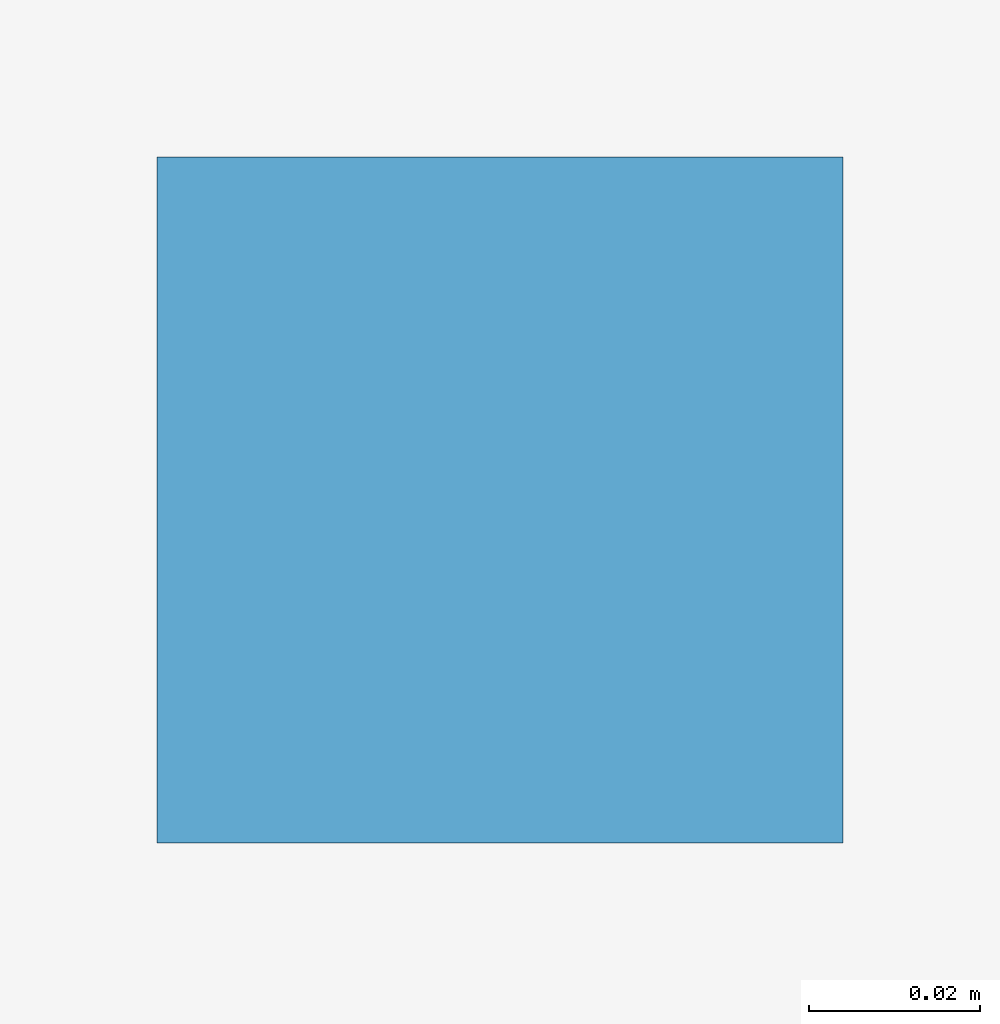
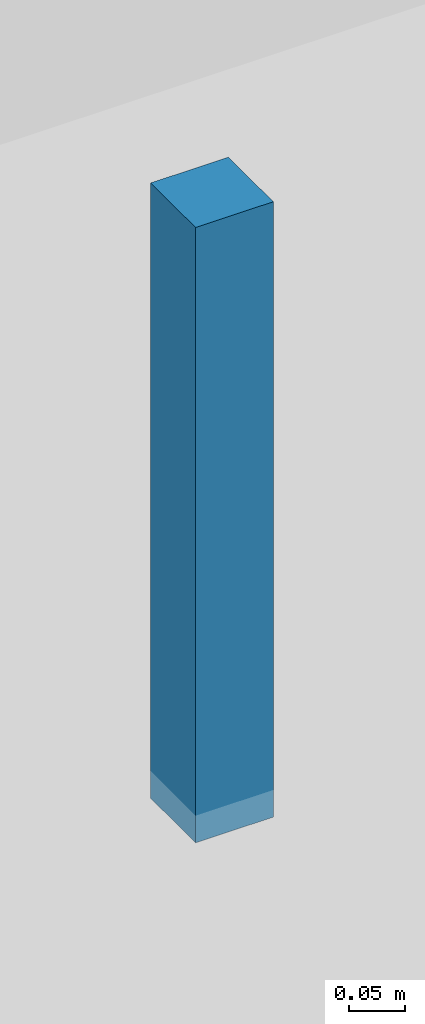
# One storey, part 11 of 16: 1 discrete accessory.
"""IFC4 building model written with IfcOpenShell, lengths in metres."""

from ifc_helpers import new_model, si_unit, direction, frame, origin, origin_2d, place, context, subcontext, project, spatial, rectangle, extrude, source, transform, mapped, material, type_object, element, save


model = new_model("IFC4")

# Units and contexts
model_context = context("Model", 3, precision=1e-05, world=origin(), true_north=direction((0.0, 1.0)))
body_context = subcontext(model_context, "Body", "Model", "MODEL_VIEW")
ifc_project = project(units=[si_unit("LENGTHUNIT", "METRE"), si_unit("AREAUNIT", "SQUARE_METRE"), si_unit("VOLUMEUNIT", "CUBIC_METRE"), si_unit("PLANEANGLEUNIT", "RADIAN"), si_unit("MASSUNIT", "GRAM", prefix="KILO")], contexts=[model_context])

# Site, building, storey
site_placement = place(None, origin())
site = spatial("IfcSite", under=ifc_project, at=site_placement, CompositionType="ELEMENT")
building_placement = place(site_placement, origin())
building = spatial("IfcBuilding", under=site, at=building_placement, Name="Giltprow Tower", CompositionType="ELEMENT")
storey_placement = place(building_placement, frame((0.0, 0.0, 163.199951171875)))
storey = spatial("IfcBuildingStorey", under=building, at=storey_placement, Name="L40", CompositionType="ELEMENT", Elevation=163.199951171875)

# Discrete accessory
ifc_material = material(Name="Structural steel Q355B", Category="steel")
discrete_accessory_type = type_object("IfcDiscreteAccessoryType", Name="ACC-CLG-HANGER", PredefinedType="BRACKET", material=ifc_material)
shared_shape = source(origin(), body_context, "Body", "SweptSolid", [
    extrude(rectangle(XDim=0.080078125, YDim=0.080078125, at=origin_2d()), origin(), (0.0, 0.0, 1.0), 0.669921875),
])
discrete_accessory_placement = place(storey_placement, frame((35.0, 36.0, 2.6201171875), z_axis=(0.0, 0.0, 1.0), x_axis=(1.0, 0.0, 0.0)))
element("IfcDiscreteAccessory", 1, at=discrete_accessory_placement, inside=storey, type_object=discrete_accessory_type, Name="L40 Hotel Corridor Gypsum Ceiling Suspension Hanger", PredefinedType="BRACKET", context=body_context, shape_type="MappedRepresentation", body=[
    mapped(shared_shape, transform((0.0, 0.0, 0.0), x_axis=(1.0, 0.0, 0.0), y_axis=(0.0, 1.0, 0.0), z_axis=(0.0, 0.0, 1.0), scale=1.0)),
])

save(model, "model.ifc")
